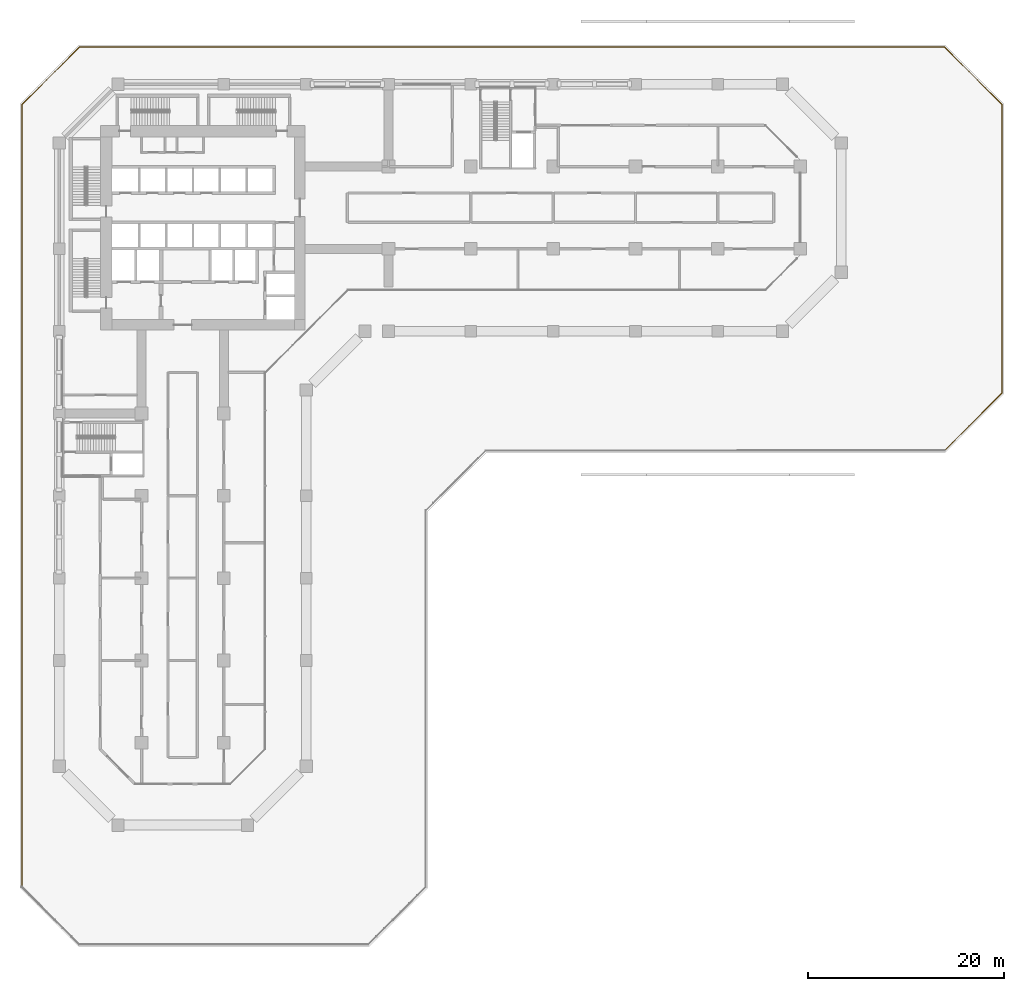
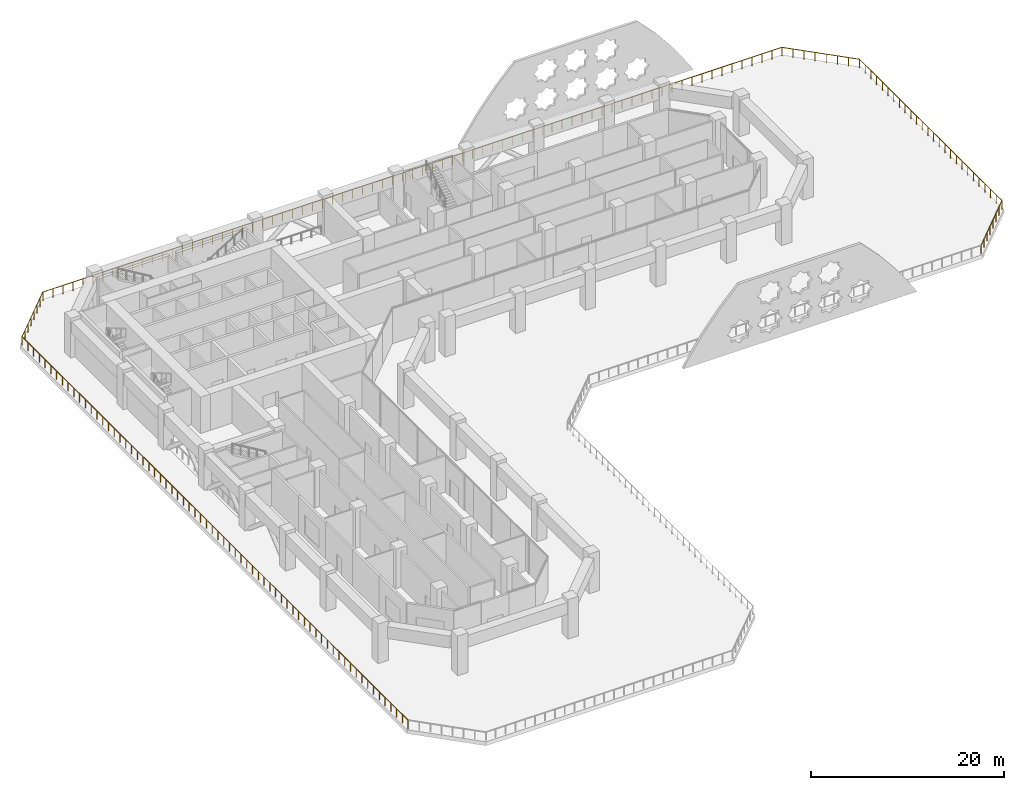
# One storey, part 15 of 19: 1 railing.
"""IFC4 building model written with IfcOpenShell, lengths in metres."""

from ifc_helpers import new_model, si_unit, direction, frame, origin, origin_2d, place, context, subcontext, project, spatial, circle, extrude, material, type_object, element, save


model = new_model("IFC4")

# Units and contexts
model_context = context("Model", 3, precision=1e-05, world=origin(), true_north=direction((0.0, 1.0)))
body_context = subcontext(model_context, "Body", "Model", "MODEL_VIEW")
ifc_project = project(units=[si_unit("LENGTHUNIT", "METRE"), si_unit("AREAUNIT", "SQUARE_METRE"), si_unit("VOLUMEUNIT", "CUBIC_METRE"), si_unit("PLANEANGLEUNIT", "RADIAN"), si_unit("MASSUNIT", "GRAM", prefix="KILO")], contexts=[model_context])

# Site, building, storey
site_placement = place(None, origin())
site = spatial("IfcSite", under=ifc_project, at=site_placement, CompositionType="ELEMENT")
building_placement = place(site_placement, origin())
building = spatial("IfcBuilding", under=site, at=building_placement, Name="Kawkab Arch Medical Tower", CompositionType="ELEMENT")
storey_placement = place(building_placement, frame((0.0, 0.0, 34.199951171875)))
storey = spatial("IfcBuildingStorey", under=building, at=storey_placement, Name="L07", CompositionType="ELEMENT", Elevation=34.199951171875)

# Railing
ifc_material = material(Name="Bronze anodised aluminium guard", Category="aluminium")
railing_type = type_object("IfcRailingType", Name="Loggia and terrace guard 1100", PredefinedType="GUARDRAIL", material=ifc_material)
railing_placement = place(storey_placement, frame((-3.800048828125, -81.9169921875, 0.0)))
element("IfcRailing", 1, at=railing_placement, inside=storey, type_object=railing_type, Name="Guard L07.REF-01.1.1", PredefinedType="GUARDRAIL", context=body_context, shape_type="SweptSolid", body=[
    extrude(circle(Radius=0.02392578125, at=origin_2d()), frame((0.0, 0.0, 1.076171875), z_axis=(0.0, 1.0, 0.0), x_axis=(-1.0, 0.0, 0.0)), (0.0, 0.0, 1.0), 79.833984375),
    extrude(circle(Radius=0.02392578125, at=origin_2d()), frame((0.0, 79.833984375, 1.076171875), z_axis=(0.707106781187, 0.707106781187, 0.0), x_axis=(-0.707106781187, 0.707106781187, 0.0)), (0.0, 0.0, 1.0), 8.317138671875),
    extrude(circle(Radius=0.02392578125, at=origin_2d()), frame((5.881103515625, 85.715087890625, 1.076171875), z_axis=(0.999999999755, 2.213528e-05, 0.0), x_axis=(-2.213528e-05, 0.999999999755, 0.0)), (0.0, 0.0, 1.0), 88.23583984375),
    extrude(circle(Radius=0.02392578125, at=origin_2d()), frame((94.116943359375, 85.717041015625, 1.076171875), z_axis=(0.707106781187, -0.707106781187, 0.0), x_axis=(0.707106781187, 0.707106781187, 0.0)), (0.0, 0.0, 1.0), 8.317138671875),
    extrude(circle(Radius=0.02392578125, at=origin_2d()), frame((99.998046875, 79.8359375, 1.076171875), z_axis=(6.6351497e-05, -0.999999997799, 0.0), x_axis=(0.999999997799, 6.6351497e-05, 0.0)), (0.0, 0.0, 1.0), 29.43603515625),
    extrude(circle(Radius=0.02392578125, at=origin_2d()), frame((100.0, 50.39990234375, 1.076171875), z_axis=(-0.707106781187, -0.707106781187, 0.0), x_axis=(0.707106781187, -0.707106781187, 0.0)), (0.0, 0.0, 1.0), 8.31689453125),
    extrude(circle(Radius=0.02099609375, at=origin_2d()), origin(), (0.0, 0.0, 1.0), 1.052001953125),
    extrude(circle(Radius=0.02099609375, at=origin_2d()), frame((0.0, 1.191650390625, 0.0)), (0.0, 0.0, 1.0), 1.052001953125),
    extrude(circle(Radius=0.02099609375, at=origin_2d()), frame((0.0, 2.383056640625, 0.0)), (0.0, 0.0, 1.0), 1.052001953125),
    extrude(circle(Radius=0.02099609375, at=origin_2d()), frame((0.0, 3.57470703125, 0.0)), (0.0, 0.0, 1.0), 1.052001953125),
    extrude(circle(Radius=0.02099609375, at=origin_2d()), frame((0.0, 4.76611328125, 0.0)), (0.0, 0.0, 1.0), 1.052001953125),
    extrude(circle(Radius=0.02099609375, at=origin_2d()), frame((0.0, 5.957763671875, 0.0)), (0.0, 0.0, 1.0), 1.052001953125),
    extrude(circle(Radius=0.02099609375, at=origin_2d()), frame((0.0, 7.1494140625, 0.0)), (0.0, 0.0, 1.0), 1.052001953125),
    extrude(circle(Radius=0.02099609375, at=origin_2d()), frame((0.0, 8.3408203125, 0.0)), (0.0, 0.0, 1.0), 1.052001953125),
    extrude(circle(Radius=0.02099609375, at=origin_2d()), frame((0.0, 9.532470703125, 0.0)), (0.0, 0.0, 1.0), 1.052001953125),
    extrude(circle(Radius=0.02099609375, at=origin_2d()), frame((0.0, 10.723876953125, 0.0)), (0.0, 0.0, 1.0), 1.052001953125),
    extrude(circle(Radius=0.02099609375, at=origin_2d()), frame((0.0, 11.91552734375, 0.0)), (0.0, 0.0, 1.0), 1.052001953125),
    extrude(circle(Radius=0.02099609375, at=origin_2d()), frame((0.0, 13.107177734375, 0.0)), (0.0, 0.0, 1.0), 1.052001953125),
    extrude(circle(Radius=0.02099609375, at=origin_2d()), frame((0.0, 14.298583984375, 0.0)), (0.0, 0.0, 1.0), 1.052001953125),
    extrude(circle(Radius=0.02099609375, at=origin_2d()), frame((0.0, 15.490234375, 0.0)), (0.0, 0.0, 1.0), 1.052001953125),
    extrude(circle(Radius=0.02099609375, at=origin_2d()), frame((0.0, 16.681640625, 0.0)), (0.0, 0.0, 1.0), 1.052001953125),
    extrude(circle(Radius=0.02099609375, at=origin_2d()), frame((0.0, 17.873291015625, 0.0)), (0.0, 0.0, 1.0), 1.052001953125),
    extrude(circle(Radius=0.02099609375, at=origin_2d()), frame((0.0, 19.06494140625, 0.0)), (0.0, 0.0, 1.0), 1.052001953125),
    extrude(circle(Radius=0.02099609375, at=origin_2d()), frame((0.0, 20.25634765625, 0.0)), (0.0, 0.0, 1.0), 1.052001953125),
    extrude(circle(Radius=0.02099609375, at=origin_2d()), frame((0.0, 21.447998046875, 0.0)), (0.0, 0.0, 1.0), 1.052001953125),
    extrude(circle(Radius=0.02099609375, at=origin_2d()), frame((0.0, 22.639404296875, 0.0)), (0.0, 0.0, 1.0), 1.052001953125),
    extrude(circle(Radius=0.02099609375, at=origin_2d()), frame((0.0, 23.8310546875, 0.0)), (0.0, 0.0, 1.0), 1.052001953125),
    extrude(circle(Radius=0.02099609375, at=origin_2d()), frame((0.0, 25.022705078125, 0.0)), (0.0, 0.0, 1.0), 1.052001953125),
    extrude(circle(Radius=0.02099609375, at=origin_2d()), frame((0.0, 26.214111328125, 0.0)), (0.0, 0.0, 1.0), 1.052001953125),
    extrude(circle(Radius=0.02099609375, at=origin_2d()), frame((0.0, 27.40576171875, 0.0)), (0.0, 0.0, 1.0), 1.052001953125),
    extrude(circle(Radius=0.02099609375, at=origin_2d()), frame((0.0, 28.59716796875, 0.0)), (0.0, 0.0, 1.0), 1.052001953125),
    extrude(circle(Radius=0.02099609375, at=origin_2d()), frame((0.0, 29.788818359375, 0.0)), (0.0, 0.0, 1.0), 1.052001953125),
    extrude(circle(Radius=0.02099609375, at=origin_2d()), frame((0.0, 30.98046875, 0.0)), (0.0, 0.0, 1.0), 1.052001953125),
    extrude(circle(Radius=0.02099609375, at=origin_2d()), frame((0.0, 32.171875, 0.0)), (0.0, 0.0, 1.0), 1.052001953125),
    extrude(circle(Radius=0.02099609375, at=origin_2d()), frame((0.0, 33.363525390625, 0.0)), (0.0, 0.0, 1.0), 1.052001953125),
    extrude(circle(Radius=0.02099609375, at=origin_2d()), frame((0.0, 34.554931640625, 0.0)), (0.0, 0.0, 1.0), 1.052001953125),
    extrude(circle(Radius=0.02099609375, at=origin_2d()), frame((0.0, 35.74658203125, 0.0)), (0.0, 0.0, 1.0), 1.052001953125),
    extrude(circle(Radius=0.02099609375, at=origin_2d()), frame((0.0, 36.938232421875, 0.0)), (0.0, 0.0, 1.0), 1.052001953125),
    extrude(circle(Radius=0.02099609375, at=origin_2d()), frame((0.0, 38.129638671875, 0.0)), (0.0, 0.0, 1.0), 1.052001953125),
    extrude(circle(Radius=0.02099609375, at=origin_2d()), frame((0.0, 39.3212890625, 0.0)), (0.0, 0.0, 1.0), 1.052001953125),
    extrude(circle(Radius=0.02099609375, at=origin_2d()), frame((0.0, 40.5126953125, 0.0)), (0.0, 0.0, 1.0), 1.052001953125),
    extrude(circle(Radius=0.02099609375, at=origin_2d()), frame((0.0, 41.704345703125, 0.0)), (0.0, 0.0, 1.0), 1.052001953125),
    extrude(circle(Radius=0.02099609375, at=origin_2d()), frame((0.0, 42.895751953125, 0.0)), (0.0, 0.0, 1.0), 1.052001953125),
    extrude(circle(Radius=0.02099609375, at=origin_2d()), frame((0.0, 44.08740234375, 0.0)), (0.0, 0.0, 1.0), 1.052001953125),
    extrude(circle(Radius=0.02099609375, at=origin_2d()), frame((0.0, 45.279052734375, 0.0)), (0.0, 0.0, 1.0), 1.052001953125),
    extrude(circle(Radius=0.02099609375, at=origin_2d()), frame((0.0, 46.470458984375, 0.0)), (0.0, 0.0, 1.0), 1.052001953125),
    extrude(circle(Radius=0.02099609375, at=origin_2d()), frame((0.0, 47.662109375, 0.0)), (0.0, 0.0, 1.0), 1.052001953125),
    extrude(circle(Radius=0.02099609375, at=origin_2d()), frame((0.0, 48.853515625, 0.0)), (0.0, 0.0, 1.0), 1.052001953125),
    extrude(circle(Radius=0.02099609375, at=origin_2d()), frame((0.0, 50.045166015625, 0.0)), (0.0, 0.0, 1.0), 1.052001953125),
    extrude(circle(Radius=0.02099609375, at=origin_2d()), frame((0.0, 51.23681640625, 0.0)), (0.0, 0.0, 1.0), 1.052001953125),
    extrude(circle(Radius=0.02099609375, at=origin_2d()), frame((0.0, 52.42822265625, 0.0)), (0.0, 0.0, 1.0), 1.052001953125),
    extrude(circle(Radius=0.02099609375, at=origin_2d()), frame((0.0, 53.619873046875, 0.0)), (0.0, 0.0, 1.0), 1.052001953125),
    extrude(circle(Radius=0.02099609375, at=origin_2d()), frame((0.0, 54.811279296875, 0.0)), (0.0, 0.0, 1.0), 1.052001953125),
    extrude(circle(Radius=0.02099609375, at=origin_2d()), frame((0.0, 56.0029296875, 0.0)), (0.0, 0.0, 1.0), 1.052001953125),
    extrude(circle(Radius=0.02099609375, at=origin_2d()), frame((0.0, 57.194580078125, 0.0)), (0.0, 0.0, 1.0), 1.052001953125),
    extrude(circle(Radius=0.02099609375, at=origin_2d()), frame((0.0, 58.385986328125, 0.0)), (0.0, 0.0, 1.0), 1.052001953125),
    extrude(circle(Radius=0.02099609375, at=origin_2d()), frame((0.0, 59.57763671875, 0.0)), (0.0, 0.0, 1.0), 1.052001953125),
    extrude(circle(Radius=0.02099609375, at=origin_2d()), frame((0.0, 60.76904296875, 0.0)), (0.0, 0.0, 1.0), 1.052001953125),
    extrude(circle(Radius=0.02099609375, at=origin_2d()), frame((0.0, 61.960693359375, 0.0)), (0.0, 0.0, 1.0), 1.052001953125),
    extrude(circle(Radius=0.02099609375, at=origin_2d()), frame((0.0, 63.15234375, 0.0)), (0.0, 0.0, 1.0), 1.052001953125),
    extrude(circle(Radius=0.02099609375, at=origin_2d()), frame((0.0, 64.34375, 0.0)), (0.0, 0.0, 1.0), 1.052001953125),
    extrude(circle(Radius=0.02099609375, at=origin_2d()), frame((0.0, 65.535400390625, 0.0)), (0.0, 0.0, 1.0), 1.052001953125),
    extrude(circle(Radius=0.02099609375, at=origin_2d()), frame((0.0, 66.726806640625, 0.0)), (0.0, 0.0, 1.0), 1.052001953125),
    extrude(circle(Radius=0.02099609375, at=origin_2d()), frame((0.0, 67.91845703125, 0.0)), (0.0, 0.0, 1.0), 1.052001953125),
    extrude(circle(Radius=0.02099609375, at=origin_2d()), frame((0.0, 69.110107421875, 0.0)), (0.0, 0.0, 1.0), 1.052001953125),
    extrude(circle(Radius=0.02099609375, at=origin_2d()), frame((0.0, 70.301513671875, 0.0)), (0.0, 0.0, 1.0), 1.052001953125),
    extrude(circle(Radius=0.02099609375, at=origin_2d()), frame((0.0, 71.4931640625, 0.0)), (0.0, 0.0, 1.0), 1.052001953125),
    extrude(circle(Radius=0.02099609375, at=origin_2d()), frame((0.0, 72.6845703125, 0.0)), (0.0, 0.0, 1.0), 1.052001953125),
    extrude(circle(Radius=0.02099609375, at=origin_2d()), frame((0.0, 73.876220703125, 0.0)), (0.0, 0.0, 1.0), 1.052001953125),
    extrude(circle(Radius=0.02099609375, at=origin_2d()), frame((0.0, 75.06787109375, 0.0)), (0.0, 0.0, 1.0), 1.052001953125),
    extrude(circle(Radius=0.02099609375, at=origin_2d()), frame((0.0, 76.25927734375, 0.0)), (0.0, 0.0, 1.0), 1.052001953125),
    extrude(circle(Radius=0.02099609375, at=origin_2d()), frame((0.0, 77.450927734375, 0.0)), (0.0, 0.0, 1.0), 1.052001953125),
    extrude(circle(Radius=0.02099609375, at=origin_2d()), frame((0.0, 78.642333984375, 0.0)), (0.0, 0.0, 1.0), 1.052001953125),
    extrude(circle(Radius=0.02099609375, at=origin_2d()), frame((0.0, 79.833984375, 0.0)), (0.0, 0.0, 1.0), 1.052001953125),
    extrude(circle(Radius=0.02099609375, at=origin_2d()), frame((0.840087890625, 80.674072265625, 0.0)), (0.0, 0.0, 1.0), 1.052001953125),
    extrude(circle(Radius=0.02099609375, at=origin_2d()), frame((1.680419921875, 81.514404296875, 0.0)), (0.0, 0.0, 1.0), 1.052001953125),
    extrude(circle(Radius=0.02099609375, at=origin_2d()), frame((2.5205078125, 82.3544921875, 0.0)), (0.0, 0.0, 1.0), 1.052001953125),
    extrude(circle(Radius=0.02099609375, at=origin_2d()), frame((3.360595703125, 83.194580078125, 0.0)), (0.0, 0.0, 1.0), 1.052001953125),
    extrude(circle(Radius=0.02099609375, at=origin_2d()), frame((4.20068359375, 84.03466796875, 0.0)), (0.0, 0.0, 1.0), 1.052001953125),
    extrude(circle(Radius=0.02099609375, at=origin_2d()), frame((5.041015625, 84.875, 0.0)), (0.0, 0.0, 1.0), 1.052001953125),
    extrude(circle(Radius=0.02099609375, at=origin_2d()), frame((5.881103515625, 85.715087890625, 0.0)), (0.0, 0.0, 1.0), 1.052001953125),
    extrude(circle(Radius=0.02099609375, at=origin_2d()), frame((7.073486328125, 85.715087890625, 0.0)), (0.0, 0.0, 1.0), 1.052001953125),
    extrude(circle(Radius=0.02099609375, at=origin_2d()), frame((8.265869140625, 85.715087890625, 0.0)), (0.0, 0.0, 1.0), 1.052001953125),
    extrude(circle(Radius=0.02099609375, at=origin_2d()), frame((9.458251953125, 85.715087890625, 0.0)), (0.0, 0.0, 1.0), 1.052001953125),
    extrude(circle(Radius=0.02099609375, at=origin_2d()), frame((10.650634765625, 85.715087890625, 0.0)), (0.0, 0.0, 1.0), 1.052001953125),
    extrude(circle(Radius=0.02099609375, at=origin_2d()), frame((11.843017578125, 85.71533203125, 0.0)), (0.0, 0.0, 1.0), 1.052001953125),
    extrude(circle(Radius=0.02099609375, at=origin_2d()), frame((13.035400390625, 85.71533203125, 0.0)), (0.0, 0.0, 1.0), 1.052001953125),
    extrude(circle(Radius=0.02099609375, at=origin_2d()), frame((14.227783203125, 85.71533203125, 0.0)), (0.0, 0.0, 1.0), 1.052001953125),
    extrude(circle(Radius=0.02099609375, at=origin_2d()), frame((15.420166015625, 85.71533203125, 0.0)), (0.0, 0.0, 1.0), 1.052001953125),
    extrude(circle(Radius=0.02099609375, at=origin_2d()), frame((16.612548828125, 85.71533203125, 0.0)), (0.0, 0.0, 1.0), 1.052001953125),
    extrude(circle(Radius=0.02099609375, at=origin_2d()), frame((17.804931640625, 85.71533203125, 0.0)), (0.0, 0.0, 1.0), 1.052001953125),
    extrude(circle(Radius=0.02099609375, at=origin_2d()), frame((18.997314453125, 85.71533203125, 0.0)), (0.0, 0.0, 1.0), 1.052001953125),
    extrude(circle(Radius=0.02099609375, at=origin_2d()), frame((20.189697265625, 85.71533203125, 0.0)), (0.0, 0.0, 1.0), 1.052001953125),
    extrude(circle(Radius=0.02099609375, at=origin_2d()), frame((21.382080078125, 85.71533203125, 0.0)), (0.0, 0.0, 1.0), 1.052001953125),
    extrude(circle(Radius=0.02099609375, at=origin_2d()), frame((22.574462890625, 85.715576171875, 0.0)), (0.0, 0.0, 1.0), 1.052001953125),
    extrude(circle(Radius=0.02099609375, at=origin_2d()), frame((23.766845703125, 85.715576171875, 0.0)), (0.0, 0.0, 1.0), 1.052001953125),
    extrude(circle(Radius=0.02099609375, at=origin_2d()), frame((24.959228515625, 85.715576171875, 0.0)), (0.0, 0.0, 1.0), 1.052001953125),
    extrude(circle(Radius=0.02099609375, at=origin_2d()), frame((26.151611328125, 85.715576171875, 0.0)), (0.0, 0.0, 1.0), 1.052001953125),
    extrude(circle(Radius=0.02099609375, at=origin_2d()), frame((27.343994140625, 85.715576171875, 0.0)), (0.0, 0.0, 1.0), 1.052001953125),
    extrude(circle(Radius=0.02099609375, at=origin_2d()), frame((28.5361328125, 85.715576171875, 0.0)), (0.0, 0.0, 1.0), 1.052001953125),
    extrude(circle(Radius=0.02099609375, at=origin_2d()), frame((29.728515625, 85.715576171875, 0.0)), (0.0, 0.0, 1.0), 1.052001953125),
    extrude(circle(Radius=0.02099609375, at=origin_2d()), frame((30.9208984375, 85.715576171875, 0.0)), (0.0, 0.0, 1.0), 1.052001953125),
    extrude(circle(Radius=0.02099609375, at=origin_2d()), frame((32.11328125, 85.715576171875, 0.0)), (0.0, 0.0, 1.0), 1.052001953125),
    extrude(circle(Radius=0.02099609375, at=origin_2d()), frame((33.3056640625, 85.715576171875, 0.0)), (0.0, 0.0, 1.0), 1.052001953125),
    extrude(circle(Radius=0.02099609375, at=origin_2d()), frame((34.498046875, 85.7158203125, 0.0)), (0.0, 0.0, 1.0), 1.052001953125),
    extrude(circle(Radius=0.02099609375, at=origin_2d()), frame((35.6904296875, 85.7158203125, 0.0)), (0.0, 0.0, 1.0), 1.052001953125),
    extrude(circle(Radius=0.02099609375, at=origin_2d()), frame((36.8828125, 85.7158203125, 0.0)), (0.0, 0.0, 1.0), 1.052001953125),
    extrude(circle(Radius=0.02099609375, at=origin_2d()), frame((38.0751953125, 85.7158203125, 0.0)), (0.0, 0.0, 1.0), 1.052001953125),
    extrude(circle(Radius=0.02099609375, at=origin_2d()), frame((39.267578125, 85.7158203125, 0.0)), (0.0, 0.0, 1.0), 1.052001953125),
    extrude(circle(Radius=0.02099609375, at=origin_2d()), frame((40.4599609375, 85.7158203125, 0.0)), (0.0, 0.0, 1.0), 1.052001953125),
    extrude(circle(Radius=0.02099609375, at=origin_2d()), frame((41.65234375, 85.7158203125, 0.0)), (0.0, 0.0, 1.0), 1.052001953125),
    extrude(circle(Radius=0.02099609375, at=origin_2d()), frame((42.8447265625, 85.7158203125, 0.0)), (0.0, 0.0, 1.0), 1.052001953125),
    extrude(circle(Radius=0.02099609375, at=origin_2d()), frame((44.037109375, 85.7158203125, 0.0)), (0.0, 0.0, 1.0), 1.052001953125),
    extrude(circle(Radius=0.02099609375, at=origin_2d()), frame((45.2294921875, 85.716064453125, 0.0)), (0.0, 0.0, 1.0), 1.052001953125),
    extrude(circle(Radius=0.02099609375, at=origin_2d()), frame((46.421875, 85.716064453125, 0.0)), (0.0, 0.0, 1.0), 1.052001953125),
    extrude(circle(Radius=0.02099609375, at=origin_2d()), frame((47.6142578125, 85.716064453125, 0.0)), (0.0, 0.0, 1.0), 1.052001953125),
    extrude(circle(Radius=0.02099609375, at=origin_2d()), frame((48.806640625, 85.716064453125, 0.0)), (0.0, 0.0, 1.0), 1.052001953125),
    extrude(circle(Radius=0.02099609375, at=origin_2d()), frame((49.9990234375, 85.716064453125, 0.0)), (0.0, 0.0, 1.0), 1.052001953125),
    extrude(circle(Radius=0.02099609375, at=origin_2d()), frame((51.19140625, 85.716064453125, 0.0)), (0.0, 0.0, 1.0), 1.052001953125),
    extrude(circle(Radius=0.02099609375, at=origin_2d()), frame((52.3837890625, 85.716064453125, 0.0)), (0.0, 0.0, 1.0), 1.052001953125),
    extrude(circle(Radius=0.02099609375, at=origin_2d()), frame((53.576171875, 85.716064453125, 0.0)), (0.0, 0.0, 1.0), 1.052001953125),
    extrude(circle(Radius=0.02099609375, at=origin_2d()), frame((54.7685546875, 85.716064453125, 0.0)), (0.0, 0.0, 1.0), 1.052001953125),
    extrude(circle(Radius=0.02099609375, at=origin_2d()), frame((55.9609375, 85.71630859375, 0.0)), (0.0, 0.0, 1.0), 1.052001953125),
    extrude(circle(Radius=0.02099609375, at=origin_2d()), frame((57.1533203125, 85.71630859375, 0.0)), (0.0, 0.0, 1.0), 1.052001953125),
    extrude(circle(Radius=0.02099609375, at=origin_2d()), frame((58.345703125, 85.71630859375, 0.0)), (0.0, 0.0, 1.0), 1.052001953125),
    extrude(circle(Radius=0.02099609375, at=origin_2d()), frame((59.5380859375, 85.71630859375, 0.0)), (0.0, 0.0, 1.0), 1.052001953125),
    extrude(circle(Radius=0.02099609375, at=origin_2d()), frame((60.73046875, 85.71630859375, 0.0)), (0.0, 0.0, 1.0), 1.052001953125),
    extrude(circle(Radius=0.02099609375, at=origin_2d()), frame((61.9228515625, 85.71630859375, 0.0)), (0.0, 0.0, 1.0), 1.052001953125),
    extrude(circle(Radius=0.02099609375, at=origin_2d()), frame((63.115234375, 85.71630859375, 0.0)), (0.0, 0.0, 1.0), 1.052001953125),
    extrude(circle(Radius=0.02099609375, at=origin_2d()), frame((64.3076171875, 85.71630859375, 0.0)), (0.0, 0.0, 1.0), 1.052001953125),
    extrude(circle(Radius=0.02099609375, at=origin_2d()), frame((65.5, 85.71630859375, 0.0)), (0.0, 0.0, 1.0), 1.052001953125),
    extrude(circle(Radius=0.02099609375, at=origin_2d()), frame((66.6923828125, 85.716552734375, 0.0)), (0.0, 0.0, 1.0), 1.052001953125),
    extrude(circle(Radius=0.02099609375, at=origin_2d()), frame((67.884765625, 85.716552734375, 0.0)), (0.0, 0.0, 1.0), 1.052001953125),
    extrude(circle(Radius=0.02099609375, at=origin_2d()), frame((69.0771484375, 85.716552734375, 0.0)), (0.0, 0.0, 1.0), 1.052001953125),
    extrude(circle(Radius=0.02099609375, at=origin_2d()), frame((70.26953125, 85.716552734375, 0.0)), (0.0, 0.0, 1.0), 1.052001953125),
    extrude(circle(Radius=0.02099609375, at=origin_2d()), frame((71.4619140625, 85.716552734375, 0.0)), (0.0, 0.0, 1.0), 1.052001953125),
    extrude(circle(Radius=0.02099609375, at=origin_2d()), frame((72.654052734375, 85.716552734375, 0.0)), (0.0, 0.0, 1.0), 1.052001953125),
    extrude(circle(Radius=0.02099609375, at=origin_2d()), frame((73.846435546875, 85.716552734375, 0.0)), (0.0, 0.0, 1.0), 1.052001953125),
    extrude(circle(Radius=0.02099609375, at=origin_2d()), frame((75.038818359375, 85.716552734375, 0.0)), (0.0, 0.0, 1.0), 1.052001953125),
    extrude(circle(Radius=0.02099609375, at=origin_2d()), frame((76.231201171875, 85.716552734375, 0.0)), (0.0, 0.0, 1.0), 1.052001953125),
    extrude(circle(Radius=0.02099609375, at=origin_2d()), frame((77.423583984375, 85.716552734375, 0.0)), (0.0, 0.0, 1.0), 1.052001953125),
    extrude(circle(Radius=0.02099609375, at=origin_2d()), frame((78.615966796875, 85.716796875, 0.0)), (0.0, 0.0, 1.0), 1.052001953125),
    extrude(circle(Radius=0.02099609375, at=origin_2d()), frame((79.808349609375, 85.716796875, 0.0)), (0.0, 0.0, 1.0), 1.052001953125),
    extrude(circle(Radius=0.02099609375, at=origin_2d()), frame((81.000732421875, 85.716796875, 0.0)), (0.0, 0.0, 1.0), 1.052001953125),
    extrude(circle(Radius=0.02099609375, at=origin_2d()), frame((82.193115234375, 85.716796875, 0.0)), (0.0, 0.0, 1.0), 1.052001953125),
    extrude(circle(Radius=0.02099609375, at=origin_2d()), frame((83.385498046875, 85.716796875, 0.0)), (0.0, 0.0, 1.0), 1.052001953125),
    extrude(circle(Radius=0.02099609375, at=origin_2d()), frame((84.577880859375, 85.716796875, 0.0)), (0.0, 0.0, 1.0), 1.052001953125),
    extrude(circle(Radius=0.02099609375, at=origin_2d()), frame((85.770263671875, 85.716796875, 0.0)), (0.0, 0.0, 1.0), 1.052001953125),
    extrude(circle(Radius=0.02099609375, at=origin_2d()), frame((86.962646484375, 85.716796875, 0.0)), (0.0, 0.0, 1.0), 1.052001953125),
    extrude(circle(Radius=0.02099609375, at=origin_2d()), frame((88.155029296875, 85.716796875, 0.0)), (0.0, 0.0, 1.0), 1.052001953125),
    extrude(circle(Radius=0.02099609375, at=origin_2d()), frame((89.347412109375, 85.717041015625, 0.0)), (0.0, 0.0, 1.0), 1.052001953125),
    extrude(circle(Radius=0.02099609375, at=origin_2d()), frame((90.539794921875, 85.717041015625, 0.0)), (0.0, 0.0, 1.0), 1.052001953125),
    extrude(circle(Radius=0.02099609375, at=origin_2d()), frame((91.732177734375, 85.717041015625, 0.0)), (0.0, 0.0, 1.0), 1.052001953125),
    extrude(circle(Radius=0.02099609375, at=origin_2d()), frame((92.924560546875, 85.717041015625, 0.0)), (0.0, 0.0, 1.0), 1.052001953125),
    extrude(circle(Radius=0.02099609375, at=origin_2d()), frame((94.116943359375, 85.717041015625, 0.0)), (0.0, 0.0, 1.0), 1.052001953125),
    extrude(circle(Radius=0.02099609375, at=origin_2d()), frame((94.95703125, 84.876953125, 0.0)), (0.0, 0.0, 1.0), 1.052001953125),
    extrude(circle(Radius=0.02099609375, at=origin_2d()), frame((95.79736328125, 84.03662109375, 0.0)), (0.0, 0.0, 1.0), 1.052001953125),
    extrude(circle(Radius=0.02099609375, at=origin_2d()), frame((96.637451171875, 83.196533203125, 0.0)), (0.0, 0.0, 1.0), 1.052001953125),
    extrude(circle(Radius=0.02099609375, at=origin_2d()), frame((97.4775390625, 82.3564453125, 0.0)), (0.0, 0.0, 1.0), 1.052001953125),
    extrude(circle(Radius=0.02099609375, at=origin_2d()), frame((98.317626953125, 81.516357421875, 0.0)), (0.0, 0.0, 1.0), 1.052001953125),
    extrude(circle(Radius=0.02099609375, at=origin_2d()), frame((99.157958984375, 80.676025390625, 0.0)), (0.0, 0.0, 1.0), 1.052001953125),
    extrude(circle(Radius=0.02099609375, at=origin_2d()), frame((99.998046875, 79.8359375, 0.0)), (0.0, 0.0, 1.0), 1.052001953125),
    extrude(circle(Radius=0.02099609375, at=origin_2d()), frame((99.998046875, 78.658447265625, 0.0)), (0.0, 0.0, 1.0), 1.052001953125),
    extrude(circle(Radius=0.02099609375, at=origin_2d()), frame((99.998291015625, 77.48095703125, 0.0)), (0.0, 0.0, 1.0), 1.052001953125),
    extrude(circle(Radius=0.02099609375, at=origin_2d()), frame((99.998291015625, 76.3037109375, 0.0)), (0.0, 0.0, 1.0), 1.052001953125),
    extrude(circle(Radius=0.02099609375, at=origin_2d()), frame((99.998291015625, 75.126220703125, 0.0)), (0.0, 0.0, 1.0), 1.052001953125),
    extrude(circle(Radius=0.02099609375, at=origin_2d()), frame((99.99853515625, 73.94873046875, 0.0)), (0.0, 0.0, 1.0), 1.052001953125),
    extrude(circle(Radius=0.02099609375, at=origin_2d()), frame((99.99853515625, 72.771240234375, 0.0)), (0.0, 0.0, 1.0), 1.052001953125),
    extrude(circle(Radius=0.02099609375, at=origin_2d()), frame((99.99853515625, 71.59375, 0.0)), (0.0, 0.0, 1.0), 1.052001953125),
    extrude(circle(Radius=0.02099609375, at=origin_2d()), frame((99.998779296875, 70.41650390625, 0.0)), (0.0, 0.0, 1.0), 1.052001953125),
    extrude(circle(Radius=0.02099609375, at=origin_2d()), frame((99.998779296875, 69.239013671875, 0.0)), (0.0, 0.0, 1.0), 1.052001953125),
    extrude(circle(Radius=0.02099609375, at=origin_2d()), frame((99.998779296875, 68.0615234375, 0.0)), (0.0, 0.0, 1.0), 1.052001953125),
    extrude(circle(Radius=0.02099609375, at=origin_2d()), frame((99.9990234375, 66.884033203125, 0.0)), (0.0, 0.0, 1.0), 1.052001953125),
    extrude(circle(Radius=0.02099609375, at=origin_2d()), frame((99.9990234375, 65.70654296875, 0.0)), (0.0, 0.0, 1.0), 1.052001953125),
    extrude(circle(Radius=0.02099609375, at=origin_2d()), frame((99.9990234375, 64.529296875, 0.0)), (0.0, 0.0, 1.0), 1.052001953125),
    extrude(circle(Radius=0.02099609375, at=origin_2d()), frame((99.9990234375, 63.351806640625, 0.0)), (0.0, 0.0, 1.0), 1.052001953125),
    extrude(circle(Radius=0.02099609375, at=origin_2d()), frame((99.999267578125, 62.17431640625, 0.0)), (0.0, 0.0, 1.0), 1.052001953125),
    extrude(circle(Radius=0.02099609375, at=origin_2d()), frame((99.999267578125, 60.996826171875, 0.0)), (0.0, 0.0, 1.0), 1.052001953125),
    extrude(circle(Radius=0.02099609375, at=origin_2d()), frame((99.999267578125, 59.8193359375, 0.0)), (0.0, 0.0, 1.0), 1.052001953125),
    extrude(circle(Radius=0.02099609375, at=origin_2d()), frame((99.99951171875, 58.64208984375, 0.0)), (0.0, 0.0, 1.0), 1.052001953125),
    extrude(circle(Radius=0.02099609375, at=origin_2d()), frame((99.99951171875, 57.464599609375, 0.0)), (0.0, 0.0, 1.0), 1.052001953125),
    extrude(circle(Radius=0.02099609375, at=origin_2d()), frame((99.99951171875, 56.287109375, 0.0)), (0.0, 0.0, 1.0), 1.052001953125),
    extrude(circle(Radius=0.02099609375, at=origin_2d()), frame((99.999755859375, 55.109619140625, 0.0)), (0.0, 0.0, 1.0), 1.052001953125),
    extrude(circle(Radius=0.02099609375, at=origin_2d()), frame((99.999755859375, 53.93212890625, 0.0)), (0.0, 0.0, 1.0), 1.052001953125),
    extrude(circle(Radius=0.02099609375, at=origin_2d()), frame((99.999755859375, 52.7548828125, 0.0)), (0.0, 0.0, 1.0), 1.052001953125),
    extrude(circle(Radius=0.02099609375, at=origin_2d()), frame((100.0, 51.577392578125, 0.0)), (0.0, 0.0, 1.0), 1.052001953125),
    extrude(circle(Radius=0.02099609375, at=origin_2d()), frame((100.0, 50.39990234375, 0.0)), (0.0, 0.0, 1.0), 1.052001953125),
    extrude(circle(Radius=0.02099609375, at=origin_2d()), frame((99.159912109375, 49.559814453125, 0.0)), (0.0, 0.0, 1.0), 1.052001953125),
    extrude(circle(Radius=0.02099609375, at=origin_2d()), frame((98.31982421875, 48.7197265625, 0.0)), (0.0, 0.0, 1.0), 1.052001953125),
    extrude(circle(Radius=0.02099609375, at=origin_2d()), frame((97.479736328125, 47.879638671875, 0.0)), (0.0, 0.0, 1.0), 1.052001953125),
    extrude(circle(Radius=0.02099609375, at=origin_2d()), frame((96.639404296875, 47.039306640625, 0.0)), (0.0, 0.0, 1.0), 1.052001953125),
    extrude(circle(Radius=0.02099609375, at=origin_2d()), frame((95.79931640625, 46.19921875, 0.0)), (0.0, 0.0, 1.0), 1.052001953125),
    extrude(circle(Radius=0.02099609375, at=origin_2d()), frame((94.959228515625, 45.359130859375, 0.0)), (0.0, 0.0, 1.0), 1.052001953125),
    extrude(circle(Radius=0.02099609375, at=origin_2d()), frame((94.119140625, 44.51904296875, 0.0)), (0.0, 0.0, 1.0), 1.052001953125),
])

save(model, "model.ifc")
